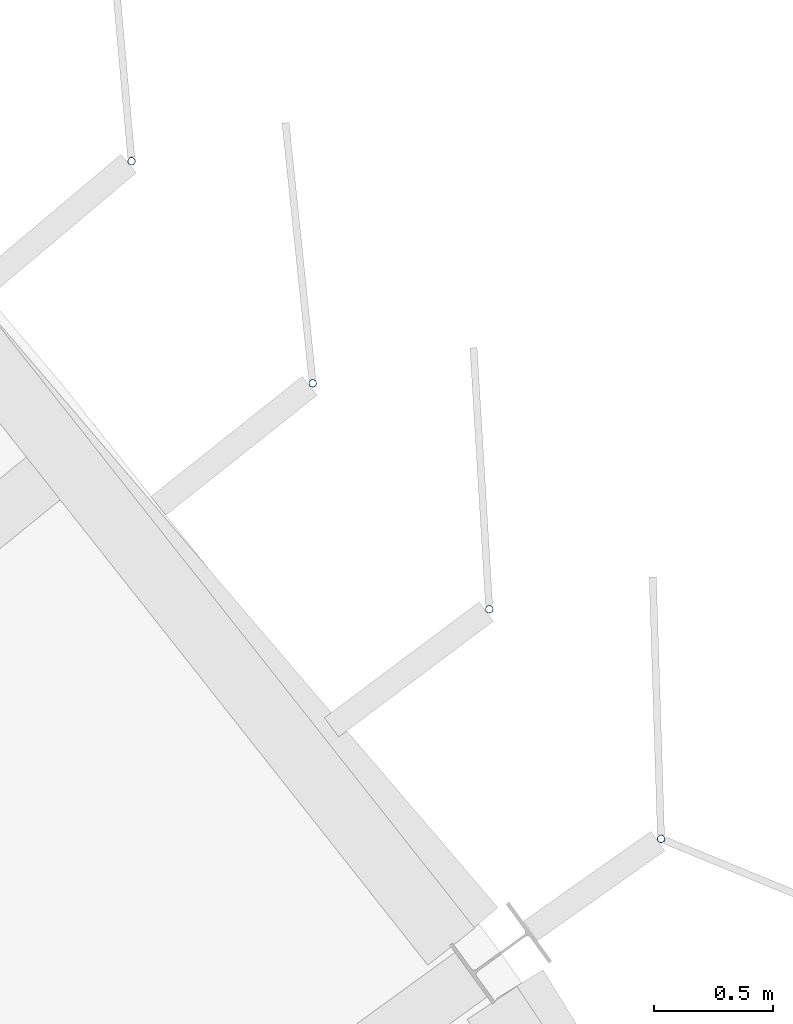
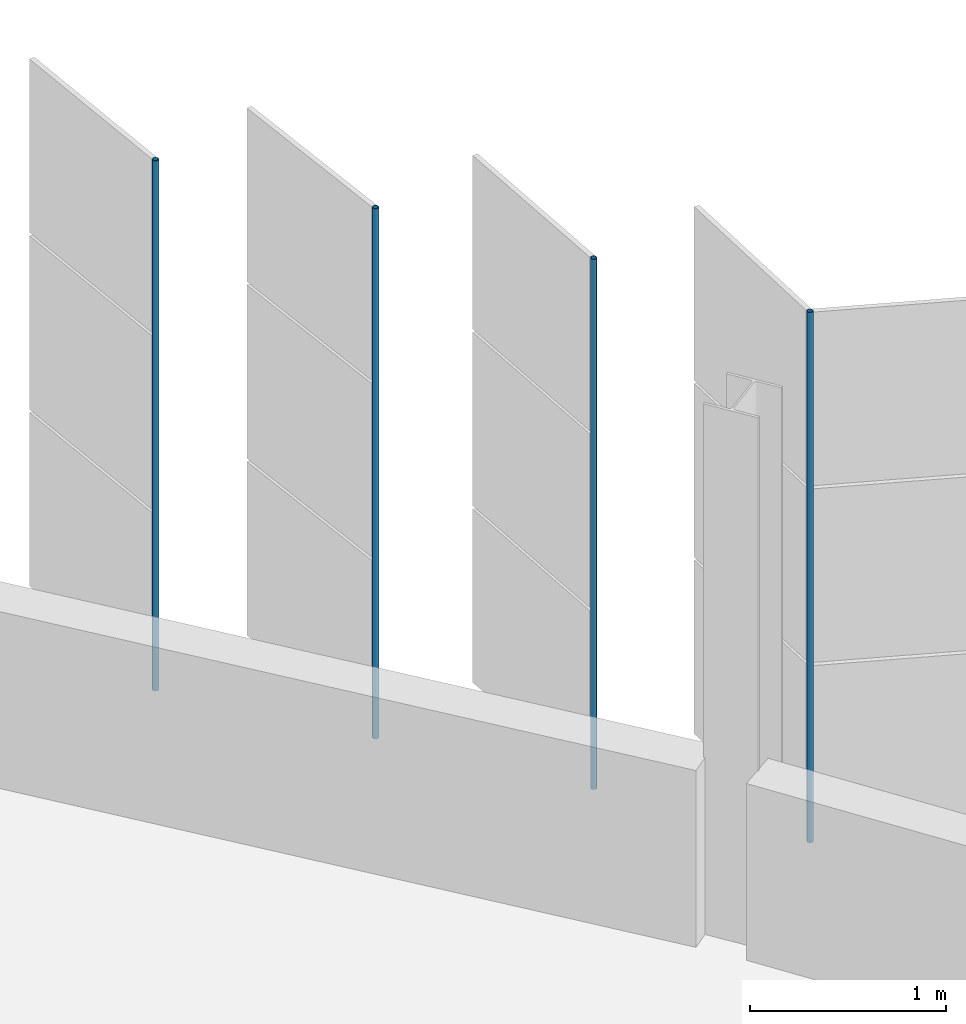
# One storey, part 127 of 199: 4 discrete accessories.
"""IFC4 building model written with IfcOpenShell, lengths in metres."""

import ifcopenshell
import ifcopenshell.guid

model = None  # the IFC model being written
_history = None  # IfcOwnerHistory: only IFC2X3 demands one
_inside = {}  # id of a spatial element -> (the spatial element, [elements in it])
_under = {}  # id of a project, library or spatial element -> (it, [spatial elements below it])
_declared = {}  # id of a project -> (the project, [libraries it declares])
_typed = {}  # id of a type object -> (the type object, [elements of that type])
_made_of = {}  # id of a material, layer set ... -> (it, [elements and type objects made of it])


def new_model(schema):
    """Start an empty IFC model of exactly this schema.

    Asked for "IFC4X3", IfcOpenShell would pick the latest addendum, in which some entities
    have other attributes; the version numbers below select the first issue.
    IFC2X3 requires an IfcOwnerHistory on every rooted entity: one is made here for all.
    """
    global model, _history
    if schema == "IFC4X3":
        model = ifcopenshell.file(schema_version=(4, 3, 0, 0))
    else:
        model = ifcopenshell.file(schema=schema)
    _inside.clear()
    _under.clear()
    _declared.clear()
    _typed.clear()
    _made_of.clear()
    _history = None
    if model.schema == "IFC2X3":
        org = make("IfcOrganization", Name="unknown")
        user = make(
            "IfcPersonAndOrganization",
            ThePerson=make("IfcPerson", FamilyName="unknown"),
            TheOrganization=org,
        )
        app = make(
            "IfcApplication",
            ApplicationDeveloper=org,
            Version="unknown",
            ApplicationFullName="unknown",
            ApplicationIdentifier="unknown",
        )
        _history = make(
            "IfcOwnerHistory",
            OwningUser=user,
            OwningApplication=app,
            ChangeAction="ADDED",
            CreationDate=0,
        )
    return model


def make(cls, **values):
    """One entity of the class cls with the attributes given. An attribute that is None is left unset."""
    return model.create_entity(
        cls, **{name: value for name, value in values.items() if value is not None}
    )


def rooted(cls, **values):
    """An entity with a GlobalId (a new one), such as an element, a storey or a relation."""
    return make(cls, GlobalId=ifcopenshell.guid.new(), OwnerHistory=_history, **values)


def si_unit(unit_type, name, prefix=None):
    """IfcSIUnit, for example si_unit("LENGTHUNIT", "METRE", prefix="MILLI")."""
    return make("IfcSIUnit", UnitType=unit_type, Prefix=prefix, Name=name)


def assignment(units):
    """IfcUnitAssignment: the units of a project."""
    return None if units is None else make("IfcUnitAssignment", Units=units)


def point(xyz):
    """IfcCartesianPoint."""
    return None if xyz is None else make("IfcCartesianPoint", Coordinates=xyz)


def direction(xyz):
    """IfcDirection."""
    return None if xyz is None else make("IfcDirection", DirectionRatios=xyz)


def frame(location, z_axis=None, x_axis=None):
    """IfcAxis2Placement3D, a coordinate frame: its origin and axes. An axis left out is left unset."""
    return make(
        "IfcAxis2Placement3D",
        Location=point(location),
        Axis=direction(z_axis),
        RefDirection=direction(x_axis),
    )


def frame_2d(location, x_axis=None):
    """IfcAxis2Placement2D, a coordinate frame in the plane: its origin and x axis."""
    return make(
        "IfcAxis2Placement2D", Location=point(location), RefDirection=direction(x_axis)
    )


def origin():
    """The frame at (0, 0, 0) with its axes left unset."""
    return frame((0.0, 0.0, 0.0))


def origin_2d():
    """The frame at (0, 0) in the plane with its x axis left unset."""
    return frame_2d((0.0, 0.0))


def place(relative_to, where):
    """IfcLocalPlacement: puts the frame where relative to a parent placement (None: the world)."""
    return make(
        "IfcLocalPlacement", PlacementRelTo=relative_to, RelativePlacement=where
    )


def context(
    kind, dimensions, precision=None, world=None, true_north=None, identifier=None
):
    """IfcGeometricRepresentationContext, for example the 3D "Model" context."""
    return make(
        "IfcGeometricRepresentationContext",
        ContextIdentifier=identifier,
        ContextType=kind,
        CoordinateSpaceDimension=dimensions,
        Precision=precision,
        WorldCoordinateSystem=world,
        TrueNorth=true_north,
    )


def subcontext(parent, identifier, kind, view, scale=None):
    """IfcGeometricRepresentationSubContext, for example "Body" below "Model"."""
    return make(
        "IfcGeometricRepresentationSubContext",
        ContextIdentifier=identifier,
        ContextType=kind,
        ParentContext=parent,
        TargetScale=scale,
        TargetView=view,
    )


def project(units=None, contexts=None):
    """IfcProject with its units and contexts."""
    return rooted(
        "IfcProject",
        Name="project",
        RepresentationContexts=contexts,
        UnitsInContext=assignment(units),
    )


def spatial(cls, under=None, at=None, **own):
    """A site, building, storey or space (cls), placed at a placement, below another one or the project."""
    s = rooted(cls, ObjectPlacement=at, **own)
    if under is not None:
        _under.setdefault(under.id(), (under, []))[1].append(s)
    return s


def profile(cls, at=None, kind="AREA", **sizes):
    """A parametric profile (cls). Its sizes go by their IFC names, for example OverallWidth=200.0."""
    return make(cls, ProfileType=kind, Position=at, **sizes)


def hollow_circle(**sizes):
    """IfcCircleHollowProfileDef."""
    return profile("IfcCircleHollowProfileDef", **sizes)


def extrude(swept, where, along, depth):
    """IfcExtrudedAreaSolid: the profile swept, set in the frame where, extruded along a direction by depth."""
    return make(
        "IfcExtrudedAreaSolid",
        SweptArea=swept,
        Position=where,
        ExtrudedDirection=direction(along),
        Depth=depth,
    )


def shape(context_of_items, identifier, shape_type, items):
    """IfcShapeRepresentation: the items that make up one representation, for example the "Body"."""
    return make(
        "IfcShapeRepresentation",
        ContextOfItems=context_of_items,
        RepresentationIdentifier=identifier,
        RepresentationType=shape_type,
        Items=items,
    )


def material(Name=None, Category=None):
    """IfcMaterial."""
    return make("IfcMaterial", Name=Name, Category=Category)


def material_profile(
    of_material, cross_section, Name=None, Category=None, Priority=None
):
    """IfcMaterialProfile: a cross section and its material."""
    return make(
        "IfcMaterialProfile",
        Name=Name,
        Material=of_material,
        Profile=cross_section,
        Priority=Priority,
        Category=Category,
    )


def profile_set(profiles, Name=None, composite=None):
    """IfcMaterialProfileSet."""
    return make(
        "IfcMaterialProfileSet",
        Name=Name,
        MaterialProfiles=profiles,
        CompositeProfile=composite,
    )


def made_of(thing, what):
    """Note that an element or type object is made of a material, layer set ...; save() writes the relation."""
    if what is not None:
        _made_of.setdefault(what.id(), (what, []))[1].append(thing)
    return thing


def type_object(cls, material=None, **own):
    """A type object (cls), such as IfcWallType, which elements share."""
    return made_of(rooted(cls, **own), material)


def element(
    cls,
    number,
    at=None,
    inside=None,
    cuts=None,
    type_object=None,
    material=None,
    context=None,
    identifier="Body",
    shape_type=None,
    held_by="IfcProductDefinitionShape",
    body=None,
    shapes=None,
    **own,
):
    """One element of the class cls, such as IfcWall. Its Tag is "e" and its number.

    at: its placement. inside: the storey or other place that contains it. cuts: it is an
    opening in that element (IfcRelVoidsElement). A single representation is given by context,
    identifier, shape_type and body (its items); several are given by shapes. held_by: the class
    of the entity that holds the representations. save() writes the other relations.
    """
    e = rooted(cls, Tag="e%d" % number, ObjectPlacement=at, **own)
    if body is not None:
        shapes = [shape(context, identifier, shape_type, body)]
    if shapes is not None:
        e.Representation = make(held_by, Representations=shapes)
    if inside is not None:
        _inside.setdefault(inside.id(), (inside, []))[1].append(e)
    if cuts is not None:
        rooted(
            "IfcRelVoidsElement", RelatingBuildingElement=cuts, RelatedOpeningElement=e
        )
    if type_object is not None:
        _typed.setdefault(type_object.id(), (type_object, []))[1].append(e)
    return made_of(e, material)


def aggregate(whole, parts):
    """IfcRelAggregates: a whole, such as a stair, and the parts it consists of."""
    return rooted("IfcRelAggregates", RelatingObject=whole, RelatedObjects=parts)


def save(model, path):
    """Write the relations noted so far, then the file.

    IfcRelAggregates (storeys below a building ...), IfcRelContainedInSpatialStructure (elements
    in a storey), IfcRelDefinesByType, IfcRelAssociatesMaterial and IfcRelDeclares: one each for
    every whole, place, type object, material and project.
    """
    for whole, parts in _under.values():
        aggregate(whole, parts)
    for where, things in _inside.values():
        rooted(
            "IfcRelContainedInSpatialStructure",
            RelatedElements=things,
            RelatingStructure=where,
        )
    for kind, things in _typed.values():
        rooted("IfcRelDefinesByType", RelatedObjects=things, RelatingType=kind)
    for what, things in _made_of.values():
        rooted("IfcRelAssociatesMaterial", RelatedObjects=things, RelatingMaterial=what)
    for by, libraries in _declared.values():
        rooted("IfcRelDeclares", RelatingContext=by, RelatedDefinitions=libraries)
    model.write(path)


model = new_model("IFC4")

# Units and contexts
model_context = context("Model", 3, precision=1e-05, world=origin(), true_north=direction((0.0, 1.0)))
body_context = subcontext(model_context, "Body", "Model", "MODEL_VIEW")
ifc_project = project(units=[si_unit("LENGTHUNIT", "METRE"), si_unit("AREAUNIT", "SQUARE_METRE"), si_unit("VOLUMEUNIT", "CUBIC_METRE"), si_unit("PLANEANGLEUNIT", "RADIAN"), si_unit("MASSUNIT", "GRAM", prefix="KILO")], contexts=[model_context])

# Site, building, storey
site_placement = place(None, origin())
site = spatial("IfcSite", under=ifc_project, at=site_placement, CompositionType="ELEMENT")
building_placement = place(site_placement, origin())
building = spatial("IfcBuilding", under=site, at=building_placement, Name="Parallax Yard Mobility Hub", CompositionType="ELEMENT")
storey_placement = place(building_placement, frame((0.0, 0.0, 9.89990234375)))
storey = spatial("IfcBuildingStorey", under=building, at=storey_placement, Name="L03", CompositionType="ELEMENT", Elevation=9.89990234375)

# Discrete accessories
ifc_material = material(Name="Steel ASTM A500 Gr C, hot-dip galvanised", Category="steel")
ifc_material_profile = material_profile(ifc_material, hollow_circle(Radius=0.016845703125, WallThickness=0.003173828125, at=origin_2d()), Name="CHS 33.7x3.2")
ifc_profile_set = profile_set([ifc_material_profile], Name="Steel ASTM A500 Gr C, hot-dip galvanised")
discrete_accessory_type = type_object("IfcDiscreteAccessoryType", Name="Hinge post CHS 33.7x3.2", PredefinedType="BRACKET", material=ifc_profile_set)
for number, where, z_axis, x_axis, name in (
    (1, (215.644287109375, 121.336669921875, 0.0), (0.0, 0.0, 1.0), (1.0, 0.0, 0.0), "Hinge post bay 45.1 level L03"),
    (2, (214.925537109375, 122.29736328125, 0.0), (0.0, 0.0, 1.0), (1.0, 0.0, 0.0), "Hinge post bay 45.2 level L03"),
    (3, (214.18701171875, 123.24267578125, 0.0), (0.0, 0.0, 1.0), (1.0, 0.0, 0.0), "Hinge post bay 45.3 level L03"),
    (4, (213.4287109375, 124.17236328125, 0.0), (0.0, 0.0, 1.0), (1.0, 0.0, 0.0), "Hinge post bay 45.4 level L03"),
):
    element("IfcDiscreteAccessory", number, at=place(storey_placement, frame(where, z_axis=z_axis, x_axis=x_axis)), inside=storey, type_object=discrete_accessory_type, Name=name, PredefinedType="BRACKET", context=body_context, shape_type="SweptSolid", body=[
        extrude(hollow_circle(Radius=0.016845703125, WallThickness=0.003173828125, at=origin_2d()), origin(), (0.0, 0.0, 1.0), 3.300048828125),
    ])

save(model, "model.ifc")
